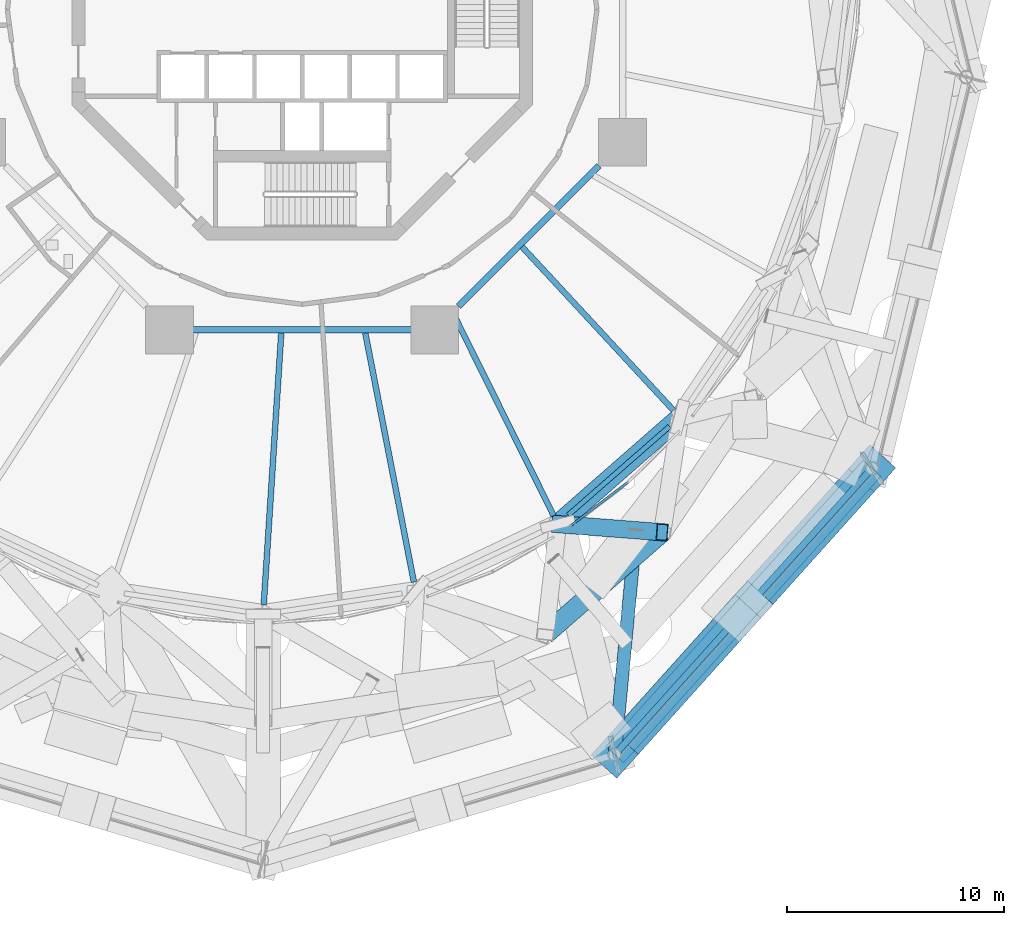
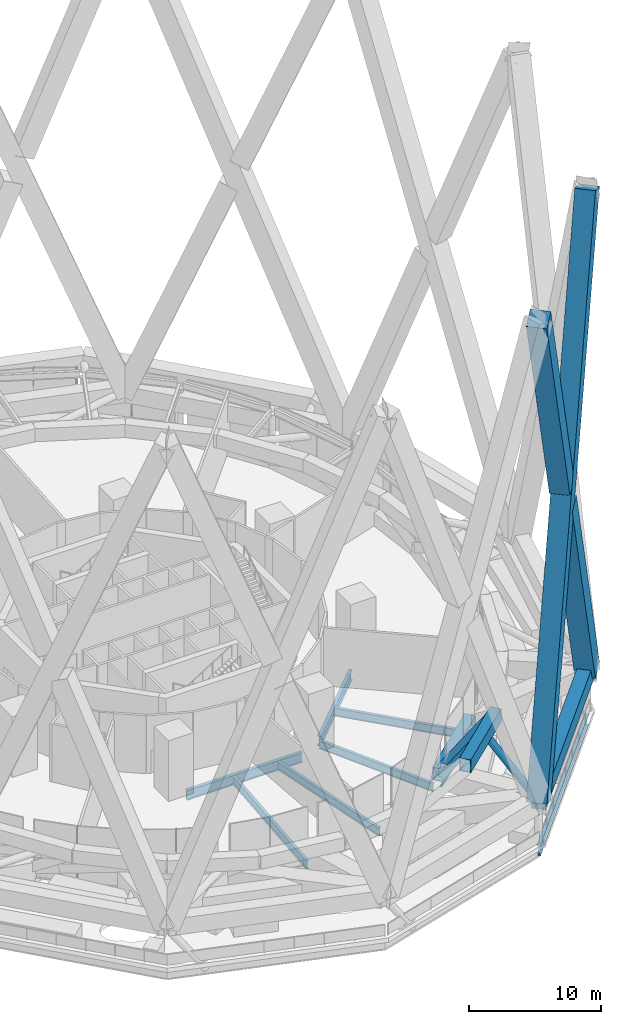
# One storey, part 9 of 65: 11 beams, 6 members, 1 element without a shape of its own.
"""IFC4 building model written with IfcOpenShell, lengths in metres."""

from ifc_helpers import new_model, si_unit, direction, frame, origin, origin_2d, place, context, subcontext, project, spatial, rectangle, hollow_rectangle, hollow_circle, i_section, extrude, material, layer, layer_set, material_profile, profile_set, type_object, element, aggregate, save


model = new_model("IFC4")

# Units and contexts
model_context = context("Model", 3, precision=1e-05, world=origin(), true_north=direction((0.0, 1.0)))
body_context = subcontext(model_context, "Body", "Model", "MODEL_VIEW")
ifc_project = project(units=[si_unit("LENGTHUNIT", "METRE"), si_unit("AREAUNIT", "SQUARE_METRE"), si_unit("VOLUMEUNIT", "CUBIC_METRE"), si_unit("PLANEANGLEUNIT", "RADIAN"), si_unit("MASSUNIT", "GRAM", prefix="KILO")], contexts=[model_context])

# Site, building, storey
site_placement = place(None, origin())
site = spatial("IfcSite", under=ifc_project, at=site_placement, CompositionType="ELEMENT")
building_placement = place(site_placement, origin())
building = spatial("IfcBuilding", under=site, at=building_placement, Name="Nagisa Residences", CompositionType="ELEMENT")
storey_placement = place(building_placement, frame((0.0, 0.0, 114.0)))
storey = spatial("IfcBuildingStorey", under=building, at=storey_placement, Name="L28", CompositionType="ELEMENT", Elevation=114.0)

# Beams
ifc_material_1 = material(Name="Steel ASTM A572 Gr 50", Category="steel")
ifc_material_profile_1 = material_profile(ifc_material_1, hollow_rectangle(XDim=0.89990234375, YDim=1.199951171875, WallThickness=0.050048828125, at=origin_2d()), Name="BX 900x1200x50")
ifc_profile_set_1 = profile_set([ifc_material_profile_1], Name="Steel ASTM A572 Gr 50")
beam_type_1 = type_object("IfcBeamType", Name="Belt chord 2 BX 900x1200x50", PredefinedType="BEAM", material=ifc_profile_set_1)
beam_1_placement = place(storey_placement, frame((11.797607421875, -23.7421875, 0.60009765625), z_axis=(0.752518090627, 0.658571577947, 0.0), x_axis=(-0.658571577947, 0.752518090627, 0.0)))
element("IfcBeam", 1, at=beam_1_placement, inside=storey, type_object=beam_type_1, Name="beam:L28:bt2b21", PredefinedType="BEAM", context=body_context, shape_type="SweptSolid", body=[
    extrude(hollow_rectangle(XDim=0.89990234375, YDim=1.199951171875, WallThickness=0.050048828125, at=origin_2d()), origin(), (0.0, 0.0, 1.0), 7.484375),
])
beam_2_placement = place(storey_placement, frame((11.217529296875, -28.834228515625, 4.739990234375), z_axis=(0.752513371651, 0.658576970055, 0.0), x_axis=(-0.658576970055, 0.752513371651, 0.0)))
element("IfcBeam", 2, at=beam_2_placement, inside=storey, type_object=beam_type_1, Name="beam:L28:bt2t21", PredefinedType="BEAM", context=body_context, shape_type="SweptSolid", body=[
    extrude(hollow_rectangle(XDim=0.89990234375, YDim=1.199951171875, WallThickness=0.050048828125, at=origin_2d()), origin(), (0.0, 0.0, 1.0), 7.16552734375),
])
ifc_material_2 = material(Name="Steel ASTM A572 Gr 50", Category="steel")
ifc_material_profile_2 = material_profile(ifc_material_2, hollow_rectangle(XDim=0.800048828125, YDim=0.800048828125, WallThickness=0.044921875, at=origin_2d()), Name="BX 800x800x45")
ifc_profile_set_2 = profile_set([ifc_material_profile_2], Name="Steel ASTM A572 Gr 50")
beam_type_2 = type_object("IfcBeamType", Name="Belt diagonal 2 BX 800x800x45", PredefinedType="BEAM", material=ifc_profile_set_2)
beam_3_placement = place(storey_placement, frame((11.797607421875, -23.7421875, 0.60009765625), z_axis=(0.756757814149, -0.058666968037, 0.651057445688), x_axis=(0.077292184896, 0.997008484494, 0.0)))
element("IfcBeam", 3, at=beam_3_placement, inside=storey, type_object=beam_type_2, Name="beam:L28:bt2db21", PredefinedType="BEAM", context=body_context, shape_type="SweptSolid", body=[
    extrude(hollow_rectangle(XDim=0.800048828125, YDim=0.800048828125, WallThickness=0.044921875, at=origin_2d()), origin(), (0.0, 0.0, 1.0), 6.358642578125),
])

# Curtain wall, member
ifc_material_3 = material(Name="Aluminium curtain wall system", Category="aluminium")
ifc_layer = layer(ifc_material_3, 0.159912109375)
ifc_layer_set = layer_set([ifc_layer], Name="CW5 CURTAIN WALL")
curtain_wall_type = type_object("IfcCurtainWallType", Name="CW5 CURTAIN WALL", PredefinedType="NOTDEFINED", material=ifc_layer_set)
curtain_wall_placement = place(storey_placement, origin())
curtain_wall = element("IfcCurtainWall", 4, at=curtain_wall_placement, inside=storey, type_object=curtain_wall_type, Name="cw:CW5:L28:40", PredefinedType="NOTDEFINED")
ifc_material_4 = material(Name="Aluminium", Category="aluminium")
ifc_material_profile_3 = material_profile(ifc_material_4, rectangle(XDim=0.10009765625, YDim=0.1201171875, at=origin_2d()), Name="CW5 TRANSOM 100x120")
ifc_profile_set_3 = profile_set([ifc_material_profile_3], Name="Aluminium")
member_type_1 = type_object("IfcMemberType", Name="CW5 TRANSOM 100x120", PredefinedType="USERDEFINED", material=ifc_profile_set_3)
member_1_placement = place(storey_placement, frame((12.357177734375, -23.839111328125, 0.06005859375), z_axis=(0.796019659738, 0.605270766939, 0.0), x_axis=(-0.605270766939, 0.796019659738, 0.0)))
member_1 = element("IfcMember", 5, at=member_1_placement, type_object=member_type_1, Name="CW5 transom", ObjectType="TRANSOM", PredefinedType="USERDEFINED", context=body_context, shape_type="SweptSolid", body=[
    extrude(rectangle(XDim=0.10009765625, YDim=0.1201171875, at=origin_2d()), origin(), (0.0, 0.0, 1.0), 3.334228515625),
])
aggregate(curtain_wall, [member_1])

# Members
ifc_material_5 = material(Name="Concrete C80", Category="concrete")
ifc_material_profile_4 = material_profile(ifc_material_5, rectangle(XDim=1.60009765625, YDim=1.60009765625, at=origin_2d()), Name="C80 1600x1600")
ifc_profile_set_4 = profile_set([ifc_material_profile_4], Name="Concrete C80")
member_type_2 = type_object("IfcMemberType", Name="Cage diagonal 3 C80 1600x1600", PredefinedType="BRACE", material=ifc_profile_set_4)
member_2_placement = place(storey_placement, frame((14.41748046875, -34.376953125, 3.699951171875), z_axis=(0.247779119326, 0.275737580043, 0.92874877926), x_axis=(-0.743809931652, 0.668391192024, 0.0)))
element("IfcMember", 6, at=member_2_placement, inside=storey, type_object=member_type_2, Name="mem:L28:cg3d021", PredefinedType="BRACE", context=body_context, shape_type="SweptSolid", body=[
    extrude(rectangle(XDim=1.60009765625, YDim=1.60009765625, at=origin_2d()), origin(), (0.0, 0.0, 1.0), 47.913818359375),
])
member_3_placement = place(storey_placement, frame((26.28955078125, -21.165283203125, 3.699951171875), z_axis=(-0.247775784917, -0.275736835489, 0.928749889886), x_axis=(0.743813506148, -0.668387214175, 0.0)))
element("IfcMember", 7, at=member_3_placement, inside=storey, type_object=member_type_2, Name="mem:L28:cg3d022a", PredefinedType="BRACE", context=body_context, shape_type="SweptSolid", body=[
    extrude(rectangle(XDim=1.60009765625, YDim=1.60009765625, at=origin_2d()), origin(), (0.0, 0.0, 1.0), 22.815185546875),
])
member_4_placement = place(storey_placement, frame((20.070556640625, -28.0859375, 27.010498046875), z_axis=(-0.247778247414, -0.275739575874, 0.928748419329), x_axis=(0.743813506148, -0.668387214175, 0.0)))
element("IfcMember", 8, at=member_4_placement, inside=storey, type_object=member_type_2, Name="mem:L28:cg3d022b", PredefinedType="BRACE", context=body_context, shape_type="SweptSolid", body=[
    extrude(rectangle(XDim=1.60009765625, YDim=1.60009765625, at=origin_2d()), origin(), (0.0, 0.0, 1.0), 22.81494140625),
])
ifc_material_6 = material(Name="Concrete C80", Category="concrete")
ifc_material_profile_5 = material_profile(ifc_material_6, rectangle(XDim=1.10009765625, YDim=1.5, at=origin_2d()), Name="C80 1100x1500")
ifc_profile_set_5 = profile_set([ifc_material_profile_5], Name="Concrete C80")
member_type_3 = type_object("IfcMemberType", Name="Cage ring 3 C80 1100x1500", PredefinedType="CHORD", material=ifc_profile_set_5)
member_5_placement = place(storey_placement, frame((14.41748046875, -34.376953125, 3.699951171875), z_axis=(0.668391192024, 0.743809931652, 0.0), x_axis=(-0.743809931652, 0.668391192024, 0.0)))
element("IfcMember", 9, at=member_5_placement, inside=storey, type_object=member_type_3, Name="beam:L28:cg3r011", PredefinedType="CHORD", context=body_context, shape_type="SweptSolid", body=[
    extrude(rectangle(XDim=1.10009765625, YDim=1.5, at=origin_2d()), origin(), (0.0, 0.0, 1.0), 17.76220703125),
])
ifc_material_7 = material(Name="Steel ASTM A572 Gr 65", Category="steel")
ifc_material_profile_6 = material_profile(ifc_material_7, hollow_circle(Radius=0.304931640625, WallThickness=0.02490234375, at=origin_2d()), Name="CHS 610x25")
ifc_profile_set_6 = profile_set([ifc_material_profile_6], Name="Steel ASTM A572 Gr 65")
member_type_4 = type_object("IfcMemberType", Name="Cage strut CHS 610x25", PredefinedType="STRUT", material=ifc_profile_set_6)
member_6_placement = place(storey_placement, frame((14.41748046875, -34.376953125, 3.699951171875), z_axis=(0.094515575797, 0.995523382916, 0.0), x_axis=(-0.995523382916, 0.094515575797, 0.0)))
element("IfcMember", 10, at=member_6_placement, inside=storey, type_object=member_type_4, Name="mem:L28:bt2st3b11", PredefinedType="STRUT", context=body_context, shape_type="SweptSolid", body=[
    extrude(hollow_circle(Radius=0.304931640625, WallThickness=0.02490234375, at=origin_2d()), origin(), (0.0, 0.0, 1.0), 10.402099609375),
])

# Beams
ifc_material_8 = material(Name="Steel ASTM A572 Gr 50", Category="steel")
ifc_material_profile_7 = material_profile(ifc_material_8, i_section(OverallWidth=0.300048828125, OverallDepth=0.97998046875, WebThickness=0.0166015625, FlangeThickness=0.02587890625, at=origin_2d()), Name="W1000x249")
ifc_profile_set_7 = profile_set([ifc_material_profile_7], Name="Steel ASTM A572 Gr 50")
beam_type_3 = type_object("IfcBeamType", Name="Deck edge beam W1000x249", PredefinedType="BEAM", material=ifc_profile_set_7)
beam_4_placement = place(storey_placement, frame((14.41748046875, -34.376953125, -0.889892578125), z_axis=(0.668391192024, 0.743809931652, 0.0), x_axis=(-0.743809931652, 0.668391192024, 0.0)))
element("IfcBeam", 11, at=beam_4_placement, inside=storey, type_object=beam_type_3, Name="beam:L28:deckedge09", PredefinedType="BEAM", context=body_context, shape_type="SweptSolid", body=[
    extrude(i_section(OverallWidth=0.300048828125, OverallDepth=0.97998046875, WebThickness=0.0166015625, FlangeThickness=0.02587890625, at=origin_2d()), origin(), (0.0, 0.0, 1.0), 17.76220703125),
])
ifc_material_9 = material(Name="Steel ASTM A572 Gr 50", Category="steel")
ifc_material_profile_8 = material_profile(ifc_material_9, i_section(OverallWidth=0.303955078125, OverallDepth=0.903076171875, WebThickness=0.01513671875, FlangeThickness=0.02001953125, at=origin_2d()), Name="W920x201")
ifc_profile_set_8 = profile_set([ifc_material_profile_8], Name="Steel ASTM A572 Gr 50")
beam_type_4 = type_object("IfcBeamType", Name="Inner ring beam W920x201", PredefinedType="BEAM", material=ifc_profile_set_8)
beam_5_placement = place(storey_placement, frame((-5.04296875, -14.781982421875, -0.801513671875), z_axis=(1.0, 0.0, 0.0), x_axis=(0.0, 1.0, 0.0)))
element("IfcBeam", 12, at=beam_5_placement, inside=storey, type_object=beam_type_4, Name="beam:L28:ib6", PredefinedType="BEAM", context=body_context, shape_type="SweptSolid", body=[
    extrude(i_section(OverallWidth=0.303955078125, OverallDepth=0.903076171875, WebThickness=0.01513671875, FlangeThickness=0.02001953125, at=origin_2d()), origin(), (0.0, 0.0, 1.0), 10.0859375),
])
beam_6_placement = place(storey_placement, frame((7.208740234375, -13.6962890625, -0.801513671875), z_axis=(0.707106781187, 0.707106781187, 0.0), x_axis=(-0.707106781187, 0.707106781187, 0.0)))
element("IfcBeam", 13, at=beam_6_placement, inside=storey, type_object=beam_type_4, Name="beam:L28:ib7", PredefinedType="BEAM", context=body_context, shape_type="SweptSolid", body=[
    extrude(i_section(OverallWidth=0.303955078125, OverallDepth=0.903076171875, WebThickness=0.01513671875, FlangeThickness=0.02001953125, at=origin_2d()), origin(), (0.0, 0.0, 1.0), 9.1748046875),
])
ifc_material_10 = material(Name="Steel ASTM A572 Gr 50", Category="steel")
ifc_material_profile_9 = material_profile(ifc_material_10, i_section(OverallWidth=0.22900390625, OverallDepth=0.612060546875, WebThickness=0.011962890625, FlangeThickness=0.01953125, at=origin_2d()), Name="W610x125")
ifc_profile_set_9 = profile_set([ifc_material_profile_9], Name="Steel ASTM A572 Gr 50")
beam_type_5 = type_object("IfcBeamType", Name="Perimeter ring beam W610x125", PredefinedType="BEAM", material=ifc_profile_set_9)
beam_7_placement = place(storey_placement, frame((12.2763671875, -23.322998046875, -0.656005859375), z_axis=(0.752525569707, 0.658563031863, 0.0), x_axis=(-0.658563031863, 0.752525569707, 0.0)))
element("IfcBeam", 14, at=beam_7_placement, inside=storey, type_object=beam_type_5, Name="beam:L28:pb21", PredefinedType="BEAM", context=body_context, shape_type="SweptSolid", body=[
    extrude(i_section(OverallWidth=0.22900390625, OverallDepth=0.612060546875, WebThickness=0.011962890625, FlangeThickness=0.01953125, at=origin_2d()), origin(), (0.0, 0.0, 1.0), 6.21240234375),
])
ifc_material_11 = material(Name="Steel ASTM A572 Gr 50", Category="steel")
ifc_material_profile_10 = material_profile(ifc_material_11, i_section(OverallWidth=0.264892578125, OverallDepth=0.7529296875, WebThickness=0.01318359375, FlangeThickness=0.01708984375, at=origin_2d()), Name="W760x147")
ifc_profile_set_10 = profile_set([ifc_material_profile_10], Name="Steel ASTM A572 Gr 50")
beam_type_6 = type_object("IfcBeamType", Name="Radial beam W760x147", PredefinedType="BEAM", material=ifc_profile_set_10)
beam_8_placement = place(storey_placement, frame((-1.772216796875, -27.46728515625, -0.7265625), z_axis=(0.064376666743, 0.997925670969, 0.0), x_axis=(-0.997925670969, 0.064376666743, 0.0)))
element("IfcBeam", 15, at=beam_8_placement, inside=storey, type_object=beam_type_6, Name="beam:L28:rb19", PredefinedType="BEAM", context=body_context, shape_type="SweptSolid", body=[
    extrude(i_section(OverallWidth=0.264892578125, OverallDepth=0.7529296875, WebThickness=0.01318359375, FlangeThickness=0.01708984375, at=origin_2d()), origin(), (0.0, 0.0, 1.0), 12.579345703125),
])
beam_9_placement = place(storey_placement, frame((5.15576171875, -26.416015625, -0.7265625), z_axis=(-0.191566652111, 0.98147960641, 0.0), x_axis=(-0.98147960641, -0.191566652111, 0.0)))
element("IfcBeam", 16, at=beam_9_placement, inside=storey, type_object=beam_type_6, Name="beam:L28:rb20", PredefinedType="BEAM", context=body_context, shape_type="SweptSolid", body=[
    extrude(i_section(OverallWidth=0.264892578125, OverallDepth=0.7529296875, WebThickness=0.01318359375, FlangeThickness=0.01708984375, at=origin_2d()), origin(), (0.0, 0.0, 1.0), 11.718505859375),
])
beam_10_placement = place(storey_placement, frame((11.604736328125, -23.35400390625, -0.7265625), z_axis=(-0.445002913171, 0.895529121397, 0.0), x_axis=(-0.895529121397, -0.445002913171, 0.0)))
element("IfcBeam", 17, at=beam_10_placement, inside=storey, type_object=beam_type_6, Name="beam:L28:rb21", PredefinedType="BEAM", context=body_context, shape_type="SweptSolid", body=[
    extrude(i_section(OverallWidth=0.264892578125, OverallDepth=0.7529296875, WebThickness=0.01318359375, FlangeThickness=0.01708984375, at=origin_2d()), origin(), (0.0, 0.0, 1.0), 10.34326171875),
])
beam_11_placement = place(storey_placement, frame((17.135986328125, -18.49609375, -0.7265625), z_axis=(-0.679625183778, 0.733559547395, 0.0), x_axis=(-0.733559547395, -0.679625183778, 0.0)))
element("IfcBeam", 18, at=beam_11_placement, inside=storey, type_object=beam_type_6, Name="beam:L28:rb22", PredefinedType="BEAM", context=body_context, shape_type="SweptSolid", body=[
    extrude(i_section(OverallWidth=0.264892578125, OverallDepth=0.7529296875, WebThickness=0.01318359375, FlangeThickness=0.01708984375, at=origin_2d()), origin(), (0.0, 0.0, 1.0), 10.2890625),
])

save(model, "model.ifc")
